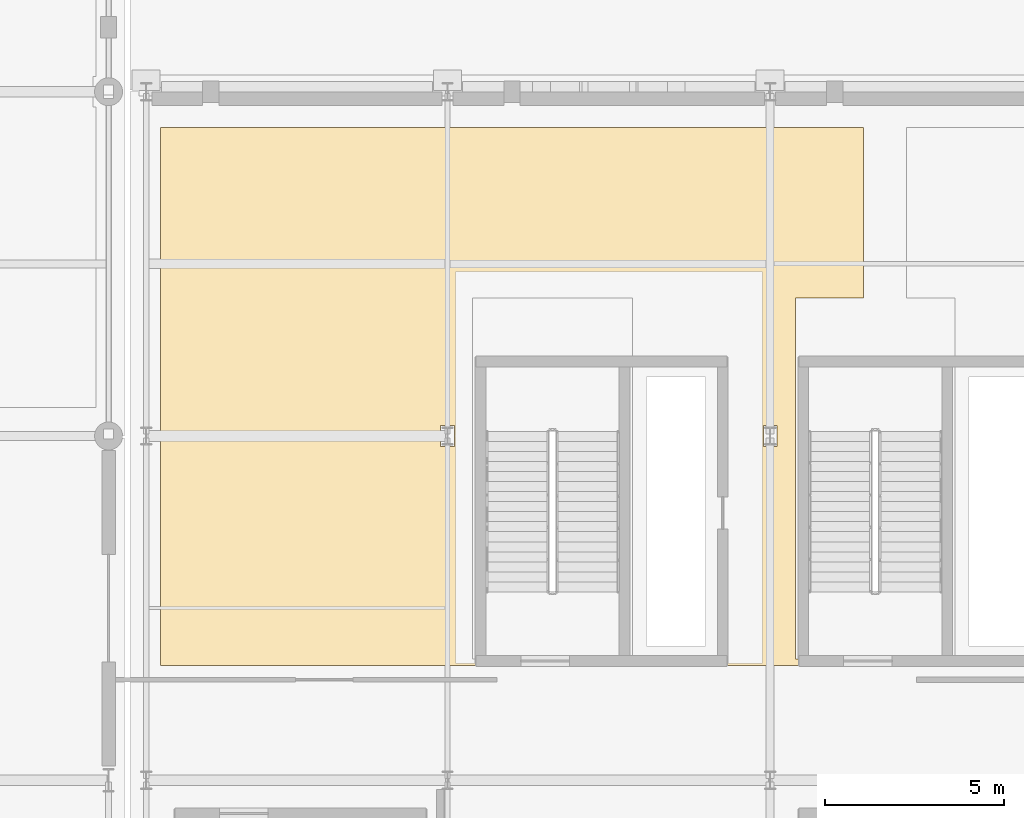
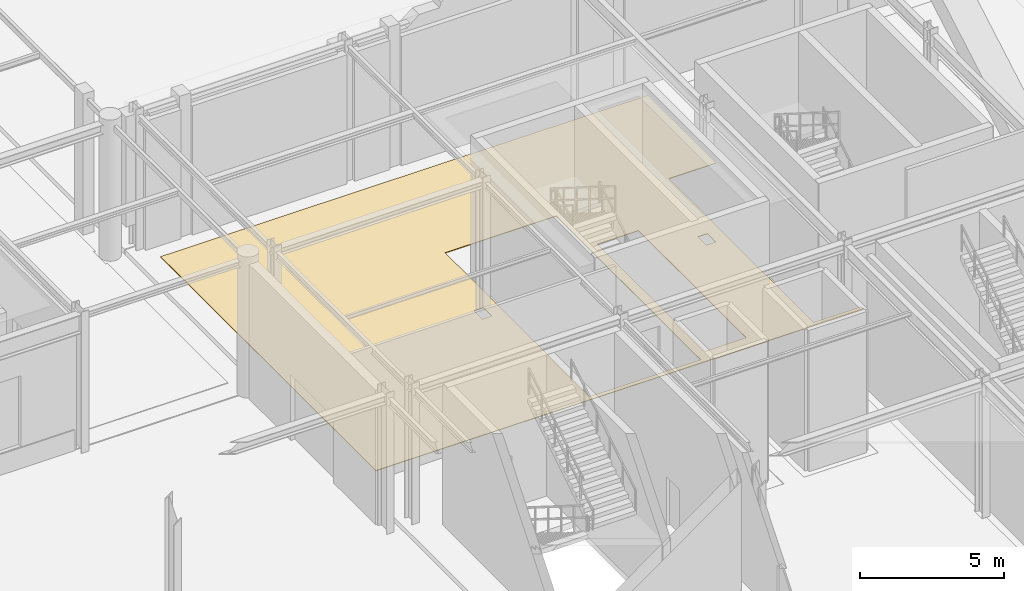
# One storey, part 82 of 113: 1 covering.
"""IFC4 building model written with IfcOpenShell, lengths in metres."""

from ifc_helpers import new_model, si_unit, direction, origin, place, context, subcontext, project, spatial, polyline, outline, extrude, material, layer, layer_set, type_object, element, save


model = new_model("IFC4")

# Units and contexts
model_context = context("Model", 3, precision=1e-05, world=origin(), true_north=direction((0.0, 1.0)))
body_context = subcontext(model_context, "Body", "Model", "MODEL_VIEW")
ifc_project = project(units=[si_unit("LENGTHUNIT", "METRE"), si_unit("AREAUNIT", "SQUARE_METRE"), si_unit("VOLUMEUNIT", "CUBIC_METRE"), si_unit("PLANEANGLEUNIT", "RADIAN"), si_unit("MASSUNIT", "GRAM", prefix="KILO")], contexts=[model_context])

# Site, building, storey
site_placement = place(None, origin())
site = spatial("IfcSite", under=ifc_project, at=site_placement, CompositionType="ELEMENT")
building_placement = place(site_placement, origin())
building = spatial("IfcBuilding", under=site, at=building_placement, Name="Myrtia Square Station", CompositionType="ELEMENT")
storey_placement = place(building_placement, origin())
storey = spatial("IfcBuildingStorey", under=building, at=storey_placement, Name="L00", CompositionType="ELEMENT", Elevation=0.0)

# Covering
ifc_material = material(Name="Terrazzo stone tile", Category="masonry")
ifc_layer = layer(ifc_material, 0.02490234375, Name="Terrazzo stone tile")
ifc_layer_set = layer_set([ifc_layer], Name="Terrazzo stone tile")
covering_type = type_object("IfcCoveringType", Name="COV-FLR-TERRAZZO", PredefinedType="FLOORING", material=ifc_layer_set)
covering_placement = place(storey_placement, origin())
element("IfcCovering", 1, at=covering_placement, inside=storey, type_object=covering_type, Name="Terrazzo room flooring L00-09", PredefinedType="FLOORING", context=body_context, shape_type="SweptSolid", body=[
    extrude(outline(polyline([(118.0, 22.39990234375), (118.0, 37.39990234375), (137.60009765625, 37.39990234375), (137.60009765625, 32.64990234375), (135.699951171875, 32.64990234375), (135.699951171875, 22.580078125), (137.60009765625, 22.580078125), (137.60009765625, 22.39990234375), (118.0, 22.39990234375)]), holes=[polyline([(133.199951171875, 30.449951171875), (131.550048828125, 30.449951171875), (131.550048828125, 22.949951171875), (133.199951171875, 22.949951171875), (133.199951171875, 30.449951171875)]), polyline([(131.159912109375, 22.580078125), (131.159912109375, 32.64990234375), (126.699951171875, 32.64990234375), (126.699951171875, 22.580078125), (131.159912109375, 22.580078125)]), polyline([(126.18994140625, 29.090087890625), (125.81005859375, 29.090087890625), (125.81005859375, 28.510009765625), (126.18994140625, 28.510009765625), (126.18994140625, 29.090087890625)]), polyline([(135.18994140625, 29.090087890625), (134.81005859375, 29.090087890625), (134.81005859375, 28.510009765625), (135.18994140625, 28.510009765625), (135.18994140625, 29.090087890625)])]), origin(), (0.0, 0.0, 1.0), 0.02490234375),
])

save(model, "model.ifc")
